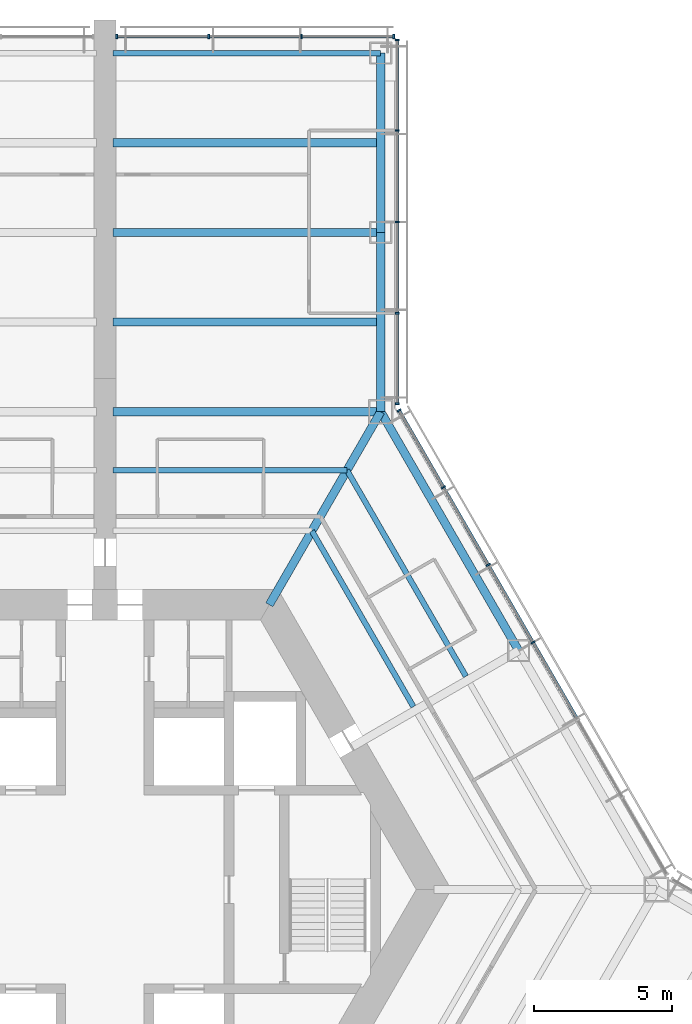
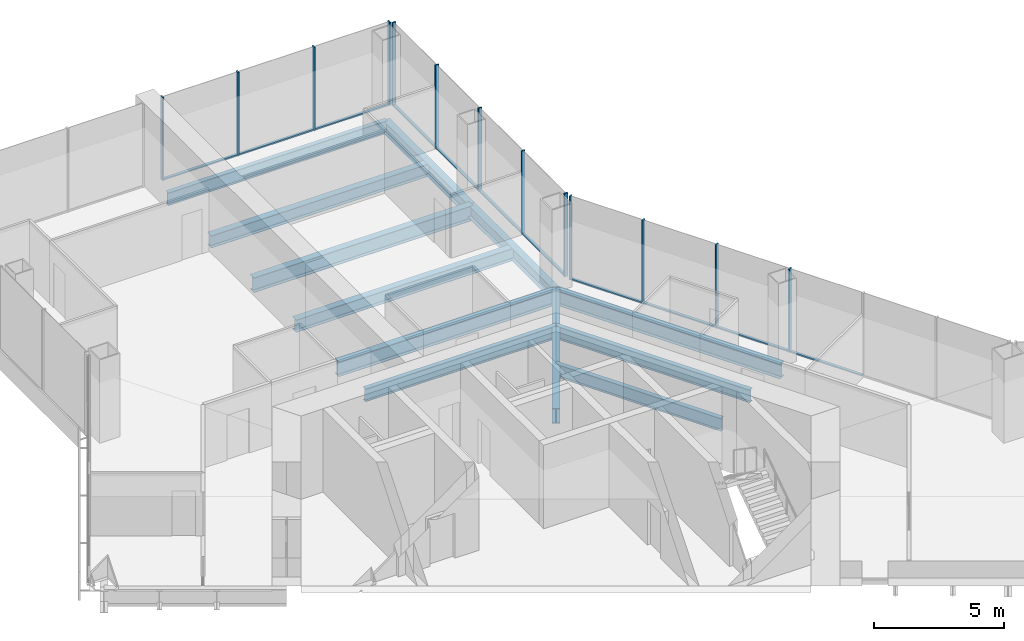
# One storey, part 8 of 18: 24 members, 12 beams, 3 elements without a shape of their own.
"""IFC4 building model written with IfcOpenShell, lengths in metres."""

from ifc_helpers import new_model, si_unit, direction, frame, origin, origin_2d, place, context, subcontext, project, spatial, rectangle, i_section, extrude, material, material_profile, profile_set, type_object, element, aggregate, save


model = new_model("IFC4")

# Units and contexts
model_context = context("Model", 3, precision=1e-05, world=origin(), true_north=direction((0.0, 1.0)))
body_context = subcontext(model_context, "Body", "Model", "MODEL_VIEW")
ifc_project = project(units=[si_unit("LENGTHUNIT", "METRE"), si_unit("AREAUNIT", "SQUARE_METRE"), si_unit("VOLUMEUNIT", "CUBIC_METRE"), si_unit("PLANEANGLEUNIT", "RADIAN"), si_unit("MASSUNIT", "GRAM", prefix="KILO")], contexts=[model_context])

# Site, building, storey
site_placement = place(None, origin())
site = spatial("IfcSite", under=ifc_project, at=site_placement, CompositionType="ELEMENT")
building_placement = place(site_placement, origin())
building = spatial("IfcBuilding", under=site, at=building_placement, Name="Kasaneha Research Tower", CompositionType="ELEMENT")
storey_placement = place(building_placement, frame((0.0, 0.0, 115.800048828125)))
storey = spatial("IfcBuildingStorey", under=building, at=storey_placement, Name="L29", CompositionType="ELEMENT", Elevation=115.800048828125)

# Beams
ifc_material_1 = material(Name="Steel SN490B", Category="steel")
ifc_material_profile_1 = material_profile(ifc_material_1, i_section(OverallWidth=0.199951171875, OverallDepth=0.60009765625, WebThickness=0.010986328125, FlangeThickness=0.01708984375, FilletRadius=0.012939453125, at=origin_2d()), Name="H-600x200x11x17")
ifc_profile_set_1 = profile_set([ifc_material_profile_1], Name="Steel SN490B")
beam_type_1 = type_object("IfcBeamType", Name="B1-3 secondary beam H-600x200x11x17", PredefinedType="JOIST", material=ifc_profile_set_1)
beam_1_placement = place(storey_placement, frame((7.505615234375, 13.0, -0.449951171875), z_axis=(0.499994443168, -0.866028611999, 0.0), x_axis=(0.866028611999, 0.499994443168, 0.0)))
element("IfcBeam", 1, at=beam_1_placement, inside=storey, type_object=beam_type_1, Name="Secondary beam RS030R1 L29", PredefinedType="JOIST", context=body_context, shape_type="SweptSolid", body=[
    extrude(i_section(OverallWidth=0.199951171875, OverallDepth=0.60009765625, WebThickness=0.010986328125, FlangeThickness=0.01708984375, FilletRadius=0.012939453125, at=origin_2d()), origin(), (0.0, 0.0, 1.0), 7.35546875),
])
beam_2_placement = place(storey_placement, frame((8.775634765625, 15.199951171875, -0.449951171875), z_axis=(0.500017275495, -0.866015429543, 0.0), x_axis=(0.866015429543, 0.500017275495, 0.0)))
element("IfcBeam", 2, at=beam_2_placement, inside=storey, type_object=beam_type_1, Name="Secondary beam RS030R2 L29", PredefinedType="JOIST", context=body_context, shape_type="SweptSolid", body=[
    extrude(i_section(OverallWidth=0.199951171875, OverallDepth=0.60009765625, WebThickness=0.010986328125, FlangeThickness=0.01708984375, FilletRadius=0.012939453125, at=origin_2d()), origin(), (0.0, 0.0, 1.0), 8.625732421875),
])
beam_3_placement = place(storey_placement, frame((8.775634765625, 15.199951171875, -0.449951171875), z_axis=(-1.0, 0.0, 0.0), x_axis=(0.0, -1.0, 0.0)))
element("IfcBeam", 3, at=beam_3_placement, inside=storey, type_object=beam_type_1, Name="Secondary beam RS090L2 L29", PredefinedType="JOIST", context=body_context, shape_type="SweptSolid", body=[
    extrude(i_section(OverallWidth=0.199951171875, OverallDepth=0.60009765625, WebThickness=0.010986328125, FlangeThickness=0.01708984375, FilletRadius=0.012939453125, at=origin_2d()), origin(), (0.0, 0.0, 1.0), 8.4755859375),
])
ifc_material_2 = material(Name="Steel SN490B", Category="steel")
ifc_material_profile_2 = material_profile(ifc_material_2, i_section(OverallWidth=0.300048828125, OverallDepth=0.58203125, WebThickness=0.011962890625, FlangeThickness=0.01708984375, FilletRadius=0.012939453125, at=origin_2d()), Name="H-582x300x12x17")
ifc_profile_set_2 = profile_set([ifc_material_profile_2], Name="Steel SN490B")
beam_type_2 = type_object("IfcBeamType", Name="B2-3 secondary beam H-582x300x12x17", PredefinedType="JOIST", material=ifc_profile_set_2)
for number, where, z_axis, x_axis, name in (
    (4, (10.0, 20.570556640625, -0.441162109375), (-1.0, 0.0, 0.0), (0.0, -1.0, 0.0), "Secondary beam WBAP1 L29"),
    (5, (10.0, 27.070556640625, -0.441162109375), (-1.0, 0.0, 0.0), (0.0, -1.0, 0.0), "Secondary beam WBAP2 L29"),
):
    element("IfcBeam", number, at=place(storey_placement, frame(where, z_axis=z_axis, x_axis=x_axis)), inside=storey, type_object=beam_type_2, Name=name, PredefinedType="JOIST", context=body_context, shape_type="SweptSolid", body=[
        extrude(i_section(OverallWidth=0.300048828125, OverallDepth=0.58203125, WebThickness=0.011962890625, FlangeThickness=0.01708984375, FilletRadius=0.012939453125, at=origin_2d()), origin(), (0.0, 0.0, 1.0), 9.699951171875),
    ])

# Curtain wall, members
ifc_material_3 = material(Name="Glass and aluminium", Category="aluminium")
curtain_wall_type = type_object("IfcCurtainWallType", Name="Low-rise office curtain wall", PredefinedType="USERDEFINED", material=ifc_material_3)
curtain_wall_1_placement = place(storey_placement, origin())
curtain_wall_1 = element("IfcCurtainWall", 6, at=curtain_wall_1_placement, inside=storey, type_object=curtain_wall_type, Name="CW-O1 L29 run 07a", ObjectType="UNITISED CURTAIN WALL", PredefinedType="USERDEFINED")
ifc_material_4 = material(Name="Aluminium 6063-T6", Category="aluminium")
ifc_material_profile_3 = material_profile(ifc_material_4, rectangle(XDim=0.06005859375, YDim=0.159912109375, at=origin_2d()), Name="CW-O1 mullion 60x160")
ifc_profile_set_3 = profile_set([ifc_material_profile_3], Name="Aluminium 6063-T6")
member_type_1 = type_object("IfcMemberType", Name="CW-O1 mullion", PredefinedType="MULLION", material=ifc_profile_set_3)
member_1_placement = place(storey_placement, frame((15.51953125, 8.960205078125, 0.0), z_axis=(0.0, 0.0, 1.0), x_axis=(-0.49999996188, 0.866025425793, 0.0)))
member_1 = element("IfcMember", 7, at=member_1_placement, type_object=member_type_1, Name="CW-O1 mullion 4", PredefinedType="MULLION", context=body_context, shape_type="SweptSolid", body=[
    extrude(rectangle(XDim=0.06005859375, YDim=0.159912109375, at=origin_2d()), origin(), (0.0, 0.0, 1.0), 3.89990234375),
])
member_2_placement = place(storey_placement, frame((13.896484375, 11.771728515625, 0.0), z_axis=(0.0, 0.0, 1.0), x_axis=(-0.49999996188, 0.866025425793, 0.0)))
member_2 = element("IfcMember", 8, at=member_2_placement, type_object=member_type_1, Name="CW-O1 mullion 5", PredefinedType="MULLION", context=body_context, shape_type="SweptSolid", body=[
    extrude(rectangle(XDim=0.06005859375, YDim=0.159912109375, at=origin_2d()), origin(), (0.0, 0.0, 1.0), 3.89990234375),
])
member_3_placement = place(storey_placement, frame((12.273193359375, 14.583251953125, 0.0), z_axis=(0.0, 0.0, 1.0), x_axis=(-0.49999996188, 0.866025425793, 0.0)))
member_3 = element("IfcMember", 9, at=member_3_placement, type_object=member_type_1, Name="CW-O1 mullion 6", PredefinedType="MULLION", context=body_context, shape_type="SweptSolid", body=[
    extrude(rectangle(XDim=0.06005859375, YDim=0.159912109375, at=origin_2d()), origin(), (0.0, 0.0, 1.0), 3.89990234375),
])
member_4_placement = place(storey_placement, frame((10.6650390625, 17.36865234375, 0.0), z_axis=(0.0, 0.0, 1.0), x_axis=(-0.49999996188, 0.866025425793, 0.0)))
member_4 = element("IfcMember", 10, at=member_4_placement, type_object=member_type_1, Name="CW-O1 mullion 7", PredefinedType="MULLION", context=body_context, shape_type="SweptSolid", body=[
    extrude(rectangle(XDim=0.06005859375, YDim=0.159912109375, at=origin_2d()), origin(), (0.0, 0.0, 1.0), 3.89990234375),
])

curtain_wall_2_placement = place(storey_placement, origin())
curtain_wall_2 = element("IfcCurtainWall", 11, at=curtain_wall_2_placement, inside=storey, type_object=curtain_wall_type, Name="CW-O1 L29 run 08a", ObjectType="UNITISED CURTAIN WALL", PredefinedType="USERDEFINED")
member_5_placement = place(storey_placement, frame((10.60009765625, 17.611328125, 0.0), z_axis=(0.0, 0.0, 1.0), x_axis=(0.0, 1.0, 0.0)))
member_5 = element("IfcMember", 12, at=member_5_placement, type_object=member_type_1, Name="CW-O1 mullion 1", PredefinedType="MULLION", context=body_context, shape_type="SweptSolid", body=[
    extrude(rectangle(XDim=0.06005859375, YDim=0.159912109375, at=origin_2d()), origin(), (0.0, 0.0, 1.0), 3.89990234375),
])
member_6_placement = place(storey_placement, frame((10.60009765625, 20.89111328125, 0.0), z_axis=(0.0, 0.0, 1.0), x_axis=(0.0, 1.0, 0.0)))
member_6 = element("IfcMember", 13, at=member_6_placement, type_object=member_type_1, Name="CW-O1 mullion 2", PredefinedType="MULLION", context=body_context, shape_type="SweptSolid", body=[
    extrude(rectangle(XDim=0.06005859375, YDim=0.159912109375, at=origin_2d()), origin(), (0.0, 0.0, 1.0), 3.89990234375),
])
member_7_placement = place(storey_placement, frame((10.60009765625, 24.200927734375, 0.0), z_axis=(0.0, 0.0, 1.0), x_axis=(0.0, 1.0, 0.0)))
member_7 = element("IfcMember", 14, at=member_7_placement, type_object=member_type_1, Name="CW-O1 mullion 3", PredefinedType="MULLION", context=body_context, shape_type="SweptSolid", body=[
    extrude(rectangle(XDim=0.06005859375, YDim=0.159912109375, at=origin_2d()), origin(), (0.0, 0.0, 1.0), 3.89990234375),
])
member_8_placement = place(storey_placement, frame((10.60009765625, 27.5107421875, 0.0), z_axis=(0.0, 0.0, 1.0), x_axis=(0.0, 1.0, 0.0)))
member_8 = element("IfcMember", 15, at=member_8_placement, type_object=member_type_1, Name="CW-O1 mullion 4", PredefinedType="MULLION", context=body_context, shape_type="SweptSolid", body=[
    extrude(rectangle(XDim=0.06005859375, YDim=0.159912109375, at=origin_2d()), origin(), (0.0, 0.0, 1.0), 3.89990234375),
])
member_9_placement = place(storey_placement, frame((10.60009765625, 30.79052734375, 0.0), z_axis=(0.0, 0.0, 1.0), x_axis=(0.0, 1.0, 0.0)))
member_9 = element("IfcMember", 16, at=member_9_placement, type_object=member_type_1, Name="CW-O1 mullion 5", PredefinedType="MULLION", context=body_context, shape_type="SweptSolid", body=[
    extrude(rectangle(XDim=0.06005859375, YDim=0.159912109375, at=origin_2d()), origin(), (0.0, 0.0, 1.0), 3.89990234375),
])

curtain_wall_3_placement = place(storey_placement, origin())
curtain_wall_3 = element("IfcCurtainWall", 17, at=curtain_wall_3_placement, inside=storey, type_object=curtain_wall_type, Name="CW-O1 L29 run 09a", ObjectType="UNITISED CURTAIN WALL", PredefinedType="USERDEFINED")
member_10_placement = place(storey_placement, frame((10.469970703125, 30.92041015625, 0.0), z_axis=(0.0, 0.0, 1.0), x_axis=(-1.0, 0.0, 0.0)))
member_10 = element("IfcMember", 18, at=member_10_placement, type_object=member_type_1, Name="CW-O1 mullion 1", PredefinedType="MULLION", context=body_context, shape_type="SweptSolid", body=[
    extrude(rectangle(XDim=0.06005859375, YDim=0.159912109375, at=origin_2d()), origin(), (0.0, 0.0, 1.0), 3.89990234375),
])
member_11_placement = place(storey_placement, frame((7.13330078125, 30.92041015625, 0.0), z_axis=(0.0, 0.0, 1.0), x_axis=(-1.0, 0.0, 0.0)))
member_11 = element("IfcMember", 19, at=member_11_placement, type_object=member_type_1, Name="CW-O1 mullion 2", PredefinedType="MULLION", context=body_context, shape_type="SweptSolid", body=[
    extrude(rectangle(XDim=0.06005859375, YDim=0.159912109375, at=origin_2d()), origin(), (0.0, 0.0, 1.0), 3.89990234375),
])
member_12_placement = place(storey_placement, frame((3.7666015625, 30.92041015625, 0.0), z_axis=(0.0, 0.0, 1.0), x_axis=(-1.0, 0.0, 0.0)))
member_12 = element("IfcMember", 20, at=member_12_placement, type_object=member_type_1, Name="CW-O1 mullion 3", PredefinedType="MULLION", context=body_context, shape_type="SweptSolid", body=[
    extrude(rectangle(XDim=0.06005859375, YDim=0.159912109375, at=origin_2d()), origin(), (0.0, 0.0, 1.0), 3.89990234375),
])
member_13_placement = place(storey_placement, frame((0.429931640625, 30.92041015625, 0.0), z_axis=(0.0, 0.0, 1.0), x_axis=(-1.0, 0.0, 0.0)))
member_13 = element("IfcMember", 21, at=member_13_placement, type_object=member_type_1, Name="CW-O1 mullion 4", PredefinedType="MULLION", context=body_context, shape_type="SweptSolid", body=[
    extrude(rectangle(XDim=0.06005859375, YDim=0.159912109375, at=origin_2d()), origin(), (0.0, 0.0, 1.0), 3.89990234375),
])

# Member
ifc_material_5 = material(Name="Aluminium 6063-T6", Category="aluminium")
ifc_material_profile_4 = material_profile(ifc_material_5, rectangle(XDim=0.1201171875, YDim=0.06005859375, at=origin_2d()), Name="CW-O1 transom 120x60")
ifc_profile_set_4 = profile_set([ifc_material_profile_4], Name="Aluminium 6063-T6")
member_type_2 = type_object("IfcMemberType", Name="CW-O1 transom", PredefinedType="USERDEFINED", material=ifc_profile_set_4)
member_14_placement = place(storey_placement, frame((17.1279296875, 6.1748046875, 0.030029296875), z_axis=(-0.500012062035, 0.866018439653, 0.0), x_axis=(-0.866018439653, -0.500012062035, 0.0)))
member_14 = element("IfcMember", 22, at=member_14_placement, type_object=member_type_2, Name="CW-O1 transom 3", ObjectType="TRANSOM", PredefinedType="USERDEFINED", context=body_context, shape_type="SweptSolid", body=[
    extrude(rectangle(XDim=0.1201171875, YDim=0.06005859375, at=origin_2d()), origin(), (0.0, 0.0, 1.0), 3.1865234375),
])

member_15_placement = place(storey_placement, frame((15.504638671875, 8.986328125, 0.030029296875), z_axis=(-0.500012062035, 0.866018439653, 0.0), x_axis=(-0.866018439653, -0.500012062035, 0.0)))
member_15 = element("IfcMember", 23, at=member_15_placement, type_object=member_type_2, Name="CW-O1 transom 4", ObjectType="TRANSOM", PredefinedType="USERDEFINED", context=body_context, shape_type="SweptSolid", body=[
    extrude(rectangle(XDim=0.1201171875, YDim=0.06005859375, at=origin_2d()), origin(), (0.0, 0.0, 1.0), 3.1865234375),
])

member_16_placement = place(storey_placement, frame((13.88134765625, 11.797607421875, 0.030029296875), z_axis=(-0.500012062035, 0.866018439653, 0.0), x_axis=(-0.866018439653, -0.500012062035, 0.0)))
member_16 = element("IfcMember", 24, at=member_16_placement, type_object=member_type_2, Name="CW-O1 transom 5", ObjectType="TRANSOM", PredefinedType="USERDEFINED", context=body_context, shape_type="SweptSolid", body=[
    extrude(rectangle(XDim=0.1201171875, YDim=0.06005859375, at=origin_2d()), origin(), (0.0, 0.0, 1.0), 3.1865234375),
])

member_17_placement = place(storey_placement, frame((12.25830078125, 14.609130859375, 0.030029296875), z_axis=(-0.500023726918, 0.866011704609, 0.0), x_axis=(-0.866011704609, -0.500023726918, 0.0)))
member_17 = element("IfcMember", 25, at=member_17_placement, type_object=member_type_2, Name="CW-O1 transom 6", ObjectType="TRANSOM", PredefinedType="USERDEFINED", context=body_context, shape_type="SweptSolid", body=[
    extrude(rectangle(XDim=0.1201171875, YDim=0.06005859375, at=origin_2d()), origin(), (0.0, 0.0, 1.0), 3.156494140625),
])

aggregate(curtain_wall_1, [member_1, member_2, member_3, member_4, member_14, member_15, member_16, member_17])

member_18_placement = place(storey_placement, frame((10.60009765625, 17.641357421875, 0.030029296875), z_axis=(0.0, 1.0, 0.0), x_axis=(-1.0, 0.0, 0.0)))
member_18 = element("IfcMember", 26, at=member_18_placement, type_object=member_type_2, Name="CW-O1 transom 1", ObjectType="TRANSOM", PredefinedType="USERDEFINED", context=body_context, shape_type="SweptSolid", body=[
    extrude(rectangle(XDim=0.1201171875, YDim=0.06005859375, at=origin_2d()), origin(), (0.0, 0.0, 1.0), 3.2197265625),
])

member_19_placement = place(storey_placement, frame((10.60009765625, 20.921142578125, 0.030029296875), z_axis=(0.0, 1.0, 0.0), x_axis=(-1.0, 0.0, 0.0)))
member_19 = element("IfcMember", 27, at=member_19_placement, type_object=member_type_2, Name="CW-O1 transom 2", ObjectType="TRANSOM", PredefinedType="USERDEFINED", context=body_context, shape_type="SweptSolid", body=[
    extrude(rectangle(XDim=0.1201171875, YDim=0.06005859375, at=origin_2d()), origin(), (0.0, 0.0, 1.0), 3.249755859375),
])

member_20_placement = place(storey_placement, frame((10.60009765625, 24.23095703125, 0.030029296875), z_axis=(0.0, 1.0, 0.0), x_axis=(-1.0, 0.0, 0.0)))
member_20 = element("IfcMember", 28, at=member_20_placement, type_object=member_type_2, Name="CW-O1 transom 3", ObjectType="TRANSOM", PredefinedType="USERDEFINED", context=body_context, shape_type="SweptSolid", body=[
    extrude(rectangle(XDim=0.1201171875, YDim=0.06005859375, at=origin_2d()), origin(), (0.0, 0.0, 1.0), 3.249755859375),
])

member_21_placement = place(storey_placement, frame((10.60009765625, 27.540771484375, 0.030029296875), z_axis=(0.0, 1.0, 0.0), x_axis=(-1.0, 0.0, 0.0)))
member_21 = element("IfcMember", 29, at=member_21_placement, type_object=member_type_2, Name="CW-O1 transom 4", ObjectType="TRANSOM", PredefinedType="USERDEFINED", context=body_context, shape_type="SweptSolid", body=[
    extrude(rectangle(XDim=0.1201171875, YDim=0.06005859375, at=origin_2d()), origin(), (0.0, 0.0, 1.0), 3.2197265625),
])

aggregate(curtain_wall_2, [member_5, member_6, member_7, member_8, member_9, member_18, member_19, member_20, member_21])

member_22_placement = place(storey_placement, frame((10.43994140625, 30.92041015625, 0.030029296875), z_axis=(-1.0, 0.0, 0.0), x_axis=(0.0, -1.0, 0.0)))
member_22 = element("IfcMember", 30, at=member_22_placement, type_object=member_type_2, Name="CW-O1 transom 1", ObjectType="TRANSOM", PredefinedType="USERDEFINED", context=body_context, shape_type="SweptSolid", body=[
    extrude(rectangle(XDim=0.1201171875, YDim=0.06005859375, at=origin_2d()), origin(), (0.0, 0.0, 1.0), 3.276611328125),
])

member_23_placement = place(storey_placement, frame((7.103271484375, 30.92041015625, 0.030029296875), z_axis=(-1.0, 0.0, 0.0), x_axis=(0.0, -1.0, 0.0)))
member_23 = element("IfcMember", 31, at=member_23_placement, type_object=member_type_2, Name="CW-O1 transom 2", ObjectType="TRANSOM", PredefinedType="USERDEFINED", context=body_context, shape_type="SweptSolid", body=[
    extrude(rectangle(XDim=0.1201171875, YDim=0.06005859375, at=origin_2d()), origin(), (0.0, 0.0, 1.0), 3.306640625),
])

member_24_placement = place(storey_placement, frame((3.736572265625, 30.92041015625, 0.030029296875), z_axis=(-1.0, 0.0, 0.0), x_axis=(0.0, -1.0, 0.0)))
member_24 = element("IfcMember", 32, at=member_24_placement, type_object=member_type_2, Name="CW-O1 transom 3", ObjectType="TRANSOM", PredefinedType="USERDEFINED", context=body_context, shape_type="SweptSolid", body=[
    extrude(rectangle(XDim=0.1201171875, YDim=0.06005859375, at=origin_2d()), origin(), (0.0, 0.0, 1.0), 3.276611328125),
])

aggregate(curtain_wall_3, [member_10, member_11, member_12, member_13, member_22, member_23, member_24])

# Beams
ifc_material_6 = material(Name="Steel SN490B", Category="steel")
ifc_material_profile_5 = material_profile(ifc_material_6, i_section(OverallWidth=0.300048828125, OverallDepth=0.699951171875, WebThickness=0.012939453125, FlangeThickness=0.02392578125, FilletRadius=0.01806640625, at=origin_2d()), Name="H-700x300x13x24")
ifc_profile_set_5 = profile_set([ifc_material_profile_5], Name="Steel SN490B")
beam_type_3 = type_object("IfcBeamType", Name="G1-3 radial girder H-700x300x13x24", PredefinedType="BEAM", material=ifc_profile_set_5)
beam_4_placement = place(storey_placement, frame((5.961181640625, 10.324951171875, -0.5), z_axis=(0.49999105496, 0.866030568144, 0.0), x_axis=(-0.866030568144, 0.49999105496, 0.0)))
element("IfcBeam", 33, at=beam_4_placement, inside=storey, type_object=beam_type_3, Name="Radial girder RV060 L29", PredefinedType="BEAM", context=body_context, shape_type="SweptSolid", body=[
    extrude(i_section(OverallWidth=0.300048828125, OverallDepth=0.699951171875, WebThickness=0.012939453125, FlangeThickness=0.02392578125, FilletRadius=0.01806640625, at=origin_2d()), origin(), (0.0, 0.0, 1.0), 8.077880859375),
])
ifc_material_7 = material(Name="Steel SN490B", Category="steel")
ifc_material_profile_6 = material_profile(ifc_material_7, i_section(OverallWidth=0.300048828125, OverallDepth=0.69189453125, WebThickness=0.012939453125, FlangeThickness=0.02001953125, FilletRadius=0.01806640625, at=origin_2d()), Name="H-692x300x13x20")
ifc_profile_set_6 = profile_set([ifc_material_profile_6], Name="Steel SN490B")
beam_type_4 = type_object("IfcBeamType", Name="G3-3 plate edge girder H-692x300x13x20", PredefinedType="BEAM", material=ifc_profile_set_6)
beam_5_placement = place(storey_placement, frame((10.0, 17.320556640625, -0.49609375), z_axis=(-1.0, 0.0, 0.0), x_axis=(0.0, -1.0, 0.0)))
element("IfcBeam", 34, at=beam_5_placement, inside=storey, type_object=beam_type_4, Name="Plate edge girder PEAP L29", PredefinedType="BEAM", context=body_context, shape_type="SweptSolid", body=[
    extrude(i_section(OverallWidth=0.300048828125, OverallDepth=0.69189453125, WebThickness=0.012939453125, FlangeThickness=0.02001953125, FilletRadius=0.01806640625, at=origin_2d()), origin(), (0.0, 0.0, 1.0), 9.699951171875),
])
ifc_material_8 = material(Name="Steel SN490B", Category="steel")
ifc_material_profile_7 = material_profile(ifc_material_8, i_section(OverallWidth=0.300048828125, OverallDepth=0.699951171875, WebThickness=0.012939453125, FlangeThickness=0.02392578125, FilletRadius=0.01806640625, at=origin_2d()), Name="H-700x300x13x24")
ifc_profile_set_7 = profile_set([ifc_material_profile_7], Name="Steel SN490B")
beam_type_5 = type_object("IfcBeamType", Name="G4-3 wing girder H-700x300x13x24", PredefinedType="BEAM", material=ifc_profile_set_7)
beam_6_placement = place(storey_placement, frame((10.0, 23.820556640625, -0.5), z_axis=(-1.0, 0.0, 0.0), x_axis=(0.0, -1.0, 0.0)))
element("IfcBeam", 35, at=beam_6_placement, inside=storey, type_object=beam_type_5, Name="Wing girder WGAP L29", PredefinedType="BEAM", context=body_context, shape_type="SweptSolid", body=[
    extrude(i_section(OverallWidth=0.300048828125, OverallDepth=0.699951171875, WebThickness=0.012939453125, FlangeThickness=0.02392578125, FilletRadius=0.01806640625, at=origin_2d()), origin(), (0.0, 0.0, 1.0), 9.699951171875),
])
ifc_material_9 = material(Name="Steel SN490B", Category="steel")
ifc_material_profile_8 = material_profile(ifc_material_9, i_section(OverallWidth=0.300048828125, OverallDepth=0.69189453125, WebThickness=0.012939453125, FlangeThickness=0.02001953125, FilletRadius=0.01806640625, at=origin_2d()), Name="H-692x300x13x20")
ifc_profile_set_8 = profile_set([ifc_material_profile_8], Name="Steel SN490B")
beam_type_6 = type_object("IfcBeamType", Name="SB1-3 spandrel beam H-692x300x13x20", PredefinedType="SPANDREL", material=ifc_profile_set_8)
beam_7_placement = place(storey_placement, frame((10.0, 17.320556640625, -0.49609375), z_axis=(0.499993662806, -0.866029062534, 0.0), x_axis=(0.866029062534, 0.499993662806, 0.0)))
element("IfcBeam", 36, at=beam_7_placement, inside=storey, type_object=beam_type_6, Name="Spandrel beam SR030R L29", PredefinedType="SPANDREL", context=body_context, shape_type="SweptSolid", body=[
    extrude(i_section(OverallWidth=0.300048828125, OverallDepth=0.69189453125, WebThickness=0.012939453125, FlangeThickness=0.02001953125, FilletRadius=0.01806640625, at=origin_2d()), origin(), (0.0, 0.0, 1.0), 10.000244140625),
])
ifc_material_10 = material(Name="Steel SN490B", Category="steel")
ifc_material_profile_9 = material_profile(ifc_material_10, i_section(OverallWidth=0.300048828125, OverallDepth=0.58203125, WebThickness=0.011962890625, FlangeThickness=0.01708984375, FilletRadius=0.012939453125, at=origin_2d()), Name="H-582x300x12x17")
ifc_profile_set_9 = profile_set([ifc_material_profile_9], Name="Steel SN490B")
beam_type_7 = type_object("IfcBeamType", Name="SB2-3 spandrel beam H-582x300x12x17", PredefinedType="SPANDREL", material=ifc_profile_set_9)
for number, where, z_axis, x_axis, name in (
    (37, (10.0, 17.320556640625, -0.441162109375), (0.0, 1.0, 0.0), (-1.0, 0.0, 0.0), "Spandrel beam WSAP1 L29"),
    (38, (10.0, 23.820556640625, -0.441162109375), (0.0, 1.0, 0.0), (-1.0, 0.0, 0.0), "Spandrel beam WSAP2 L29"),
):
    element("IfcBeam", number, at=place(storey_placement, frame(where, z_axis=z_axis, x_axis=x_axis)), inside=storey, type_object=beam_type_7, Name=name, PredefinedType="SPANDREL", context=body_context, shape_type="SweptSolid", body=[
        extrude(i_section(OverallWidth=0.300048828125, OverallDepth=0.58203125, WebThickness=0.011962890625, FlangeThickness=0.01708984375, FilletRadius=0.012939453125, at=origin_2d()), origin(), (0.0, 0.0, 1.0), 6.5),
    ])
ifc_material_11 = material(Name="Steel SN490B", Category="steel")
ifc_material_profile_10 = material_profile(ifc_material_11, i_section(OverallWidth=0.199951171875, OverallDepth=0.60009765625, WebThickness=0.010986328125, FlangeThickness=0.01708984375, FilletRadius=0.012939453125, at=origin_2d()), Name="H-600x200x11x17")
ifc_profile_set_10 = profile_set([ifc_material_profile_10], Name="Steel SN490B")
beam_type_8 = type_object("IfcBeamType", Name="SB3-3 spandrel beam H-600x200x11x17", PredefinedType="SPANDREL", material=ifc_profile_set_10)
beam_8_placement = place(storey_placement, frame((10.0, 30.320556640625, -0.449951171875), z_axis=(-1.0, 0.0, 0.0), x_axis=(0.0, -1.0, 0.0)))
element("IfcBeam", 39, at=beam_8_placement, inside=storey, type_object=beam_type_8, Name="Spandrel beam WTAP L29", PredefinedType="SPANDREL", context=body_context, shape_type="SweptSolid", body=[
    extrude(i_section(OverallWidth=0.199951171875, OverallDepth=0.60009765625, WebThickness=0.010986328125, FlangeThickness=0.01708984375, FilletRadius=0.012939453125, at=origin_2d()), origin(), (0.0, 0.0, 1.0), 9.699951171875),
])

save(model, "model.ifc")
